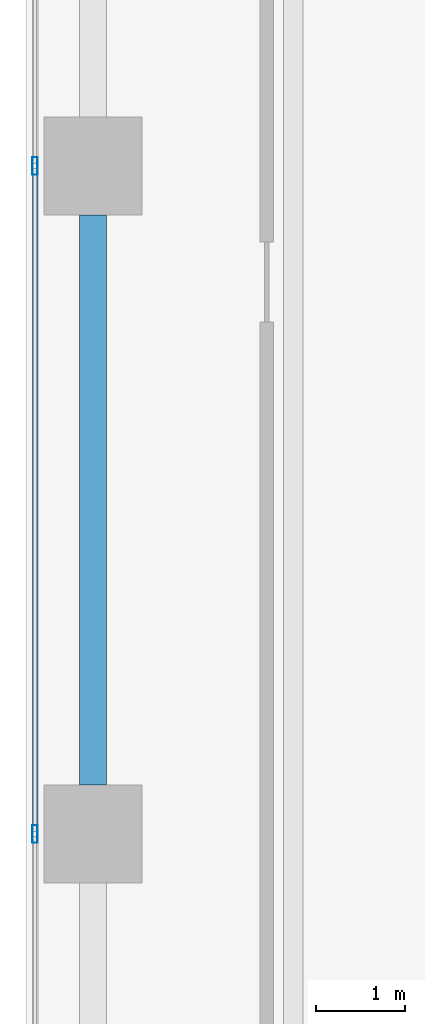
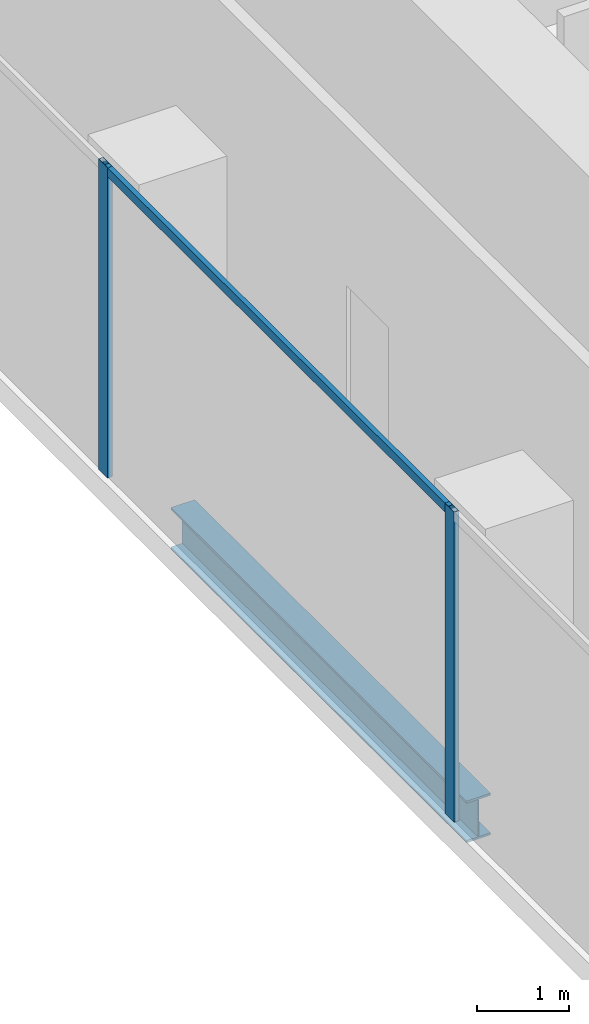
# One storey, part 7 of 34: 3 members, 1 beam, 1 element without a shape of its own.
"""IFC4 building model written with IfcOpenShell, lengths in metres."""

from ifc_helpers import new_model, si_unit, direction, frame, origin, origin_2d, place, context, subcontext, project, spatial, hollow_rectangle, i_section, extrude, source, transform, mapped, material, material_profile, profile_set, type_object, element, aggregate, save


model = new_model("IFC4")

# Units and contexts
model_context = context("Model", 3, precision=1e-05, world=origin(), true_north=direction((0.0, 1.0)))
body_context = subcontext(model_context, "Body", "Model", "MODEL_VIEW")
ifc_project = project(units=[si_unit("LENGTHUNIT", "METRE"), si_unit("AREAUNIT", "SQUARE_METRE"), si_unit("VOLUMEUNIT", "CUBIC_METRE"), si_unit("PLANEANGLEUNIT", "RADIAN"), si_unit("MASSUNIT", "GRAM", prefix="KILO")], contexts=[model_context])

# Site, building, storey
site_placement = place(None, origin())
site = spatial("IfcSite", under=ifc_project, at=site_placement, CompositionType="ELEMENT")
building_placement = place(site_placement, origin())
building = spatial("IfcBuilding", under=site, at=building_placement, Name="Khomas Fold Tower", CompositionType="ELEMENT")
storey_placement = place(building_placement, frame((0.0, 0.0, 145.5)))
storey = spatial("IfcBuildingStorey", under=building, at=storey_placement, Name="L31", CompositionType="ELEMENT", Elevation=145.5)

# Beam
ifc_material_1 = material(Name="Steel S355", Category="steel")
ifc_material_profile_1 = material_profile(ifc_material_1, i_section(OverallWidth=0.300048828125, OverallDepth=0.550048828125, WebThickness=0.014892578125, FlangeThickness=0.029052734375, at=origin_2d()), Name="HE 550 B")
ifc_profile_set_1 = profile_set([ifc_material_profile_1], Name="Steel S355")
beam_type = type_object("IfcBeamType", Name="HE 550 B spandrel SB2", PredefinedType="SPANDREL", material=ifc_profile_set_1)
shared_shape_1 = source(origin(), body_context, "Body", "SweptSolid", [
    extrude(i_section(OverallWidth=0.300048828125, OverallDepth=0.550048828125, WebThickness=0.014892578125, FlangeThickness=0.029052734375, at=origin_2d()), origin(), (0.0, 0.0, 1.0), 6.39990234375),
])
beam_placement = place(storey_placement, frame((2.25, 20.050048828125, -0.574951171875), z_axis=(0.0, 1.0, 0.0), x_axis=(-1.0, 0.0, 0.0)))
element("IfcBeam", 1, at=beam_placement, inside=storey, type_object=beam_type, Name="SB2", PredefinedType="SPANDREL", context=body_context, shape_type="MappedRepresentation", body=[
    mapped(shared_shape_1, transform((0.0, 0.0, 0.0))),
])

# Curtain wall, members
ifc_material_2 = material(Name="Aluminium framed double glazing", Category="aluminium")
curtain_wall_type = type_object("IfcCurtainWallType", Name="SK-Unitised clear-glass wall, growing floors CW1", PredefinedType="NOTDEFINED", material=ifc_material_2)
curtain_wall_placement = place(storey_placement, origin())
curtain_wall = element("IfcCurtainWall", 2, at=curtain_wall_placement, inside=storey, type_object=curtain_wall_type, Name="CW1 run L31 09-0", PredefinedType="NOTDEFINED")
ifc_material_3 = material(Name="Aluminium", Category="aluminium")
ifc_material_profile_2 = material_profile(ifc_material_3, hollow_rectangle(XDim=0.06005859375, YDim=0.1201171875, WallThickness=0.00390625, at=origin_2d()), Name="SK-Unitised clear-glass wall, growing floors transom CW1-T")
ifc_profile_set_2 = profile_set([ifc_material_profile_2], Name="Aluminium")
member_type_1 = type_object("IfcMemberType", Name="SK-Unitised clear-glass wall, growing floors transom CW1-T", PredefinedType="USERDEFINED", material=ifc_profile_set_2)
shared_shape_2 = source(origin(), body_context, "Body", "SweptSolid", [
    extrude(hollow_rectangle(XDim=0.06005859375, YDim=0.1201171875, WallThickness=0.00390625, at=origin_2d()), origin(), (0.0, 0.0, 1.0), 7.43994140625),
])
member_1_placement = place(storey_placement, frame((1.60009765625, 26.969970703125, 4.0400390625), z_axis=(0.0, -1.0, 0.0), x_axis=(1.0, 0.0, 0.0)))
member_1 = element("IfcMember", 3, at=member_1_placement, type_object=member_type_1, Name="CW1 transom 5", ObjectType="TRANSOM", PredefinedType="USERDEFINED", context=body_context, shape_type="MappedRepresentation", body=[
    mapped(shared_shape_2, transform((0.0, 0.0, 0.0))),
])
ifc_material_4 = material(Name="Aluminium", Category="aluminium")
ifc_material_profile_3 = material_profile(ifc_material_4, hollow_rectangle(XDim=0.06005859375, YDim=0.199951171875, WallThickness=0.00390625, at=origin_2d()), Name="SK-Unitised clear-glass wall, growing floors mullion CW1-M")
ifc_profile_set_3 = profile_set([ifc_material_profile_3], Name="Aluminium")
member_type_2 = type_object("IfcMemberType", Name="SK-Unitised clear-glass wall, growing floors mullion CW1-M", PredefinedType="MULLION", material=ifc_profile_set_3)
shared_shape_3 = source(origin(), body_context, "Body", "SweptSolid", [
    extrude(hollow_rectangle(XDim=0.06005859375, YDim=0.199951171875, WallThickness=0.00390625, at=origin_2d()), origin(), (0.0, 0.0, 1.0), 4.10009765625),
])
member_2_placement = place(storey_placement, frame((1.60009765625, 27.0, 0.0), z_axis=(0.0, 0.0, 1.0), x_axis=(1.0, 0.0, 0.0)))
member_2 = element("IfcMember", 4, at=member_2_placement, type_object=member_type_2, Name="CW1 mullion 5", PredefinedType="MULLION", context=body_context, shape_type="MappedRepresentation", body=[
    mapped(shared_shape_3, transform((0.0, 0.0, 0.0))),
])
member_3_placement = place(storey_placement, frame((1.60009765625, 19.5, 0.0), z_axis=(0.0, 0.0, 1.0), x_axis=(1.0, 0.0, 0.0)))
member_3 = element("IfcMember", 5, at=member_3_placement, type_object=member_type_2, Name="CW1 mullion 6", PredefinedType="MULLION", context=body_context, shape_type="MappedRepresentation", body=[
    mapped(shared_shape_3, transform((0.0, 0.0, 0.0))),
])
aggregate(curtain_wall, [member_2, member_3, member_1])

save(model, "model.ifc")
